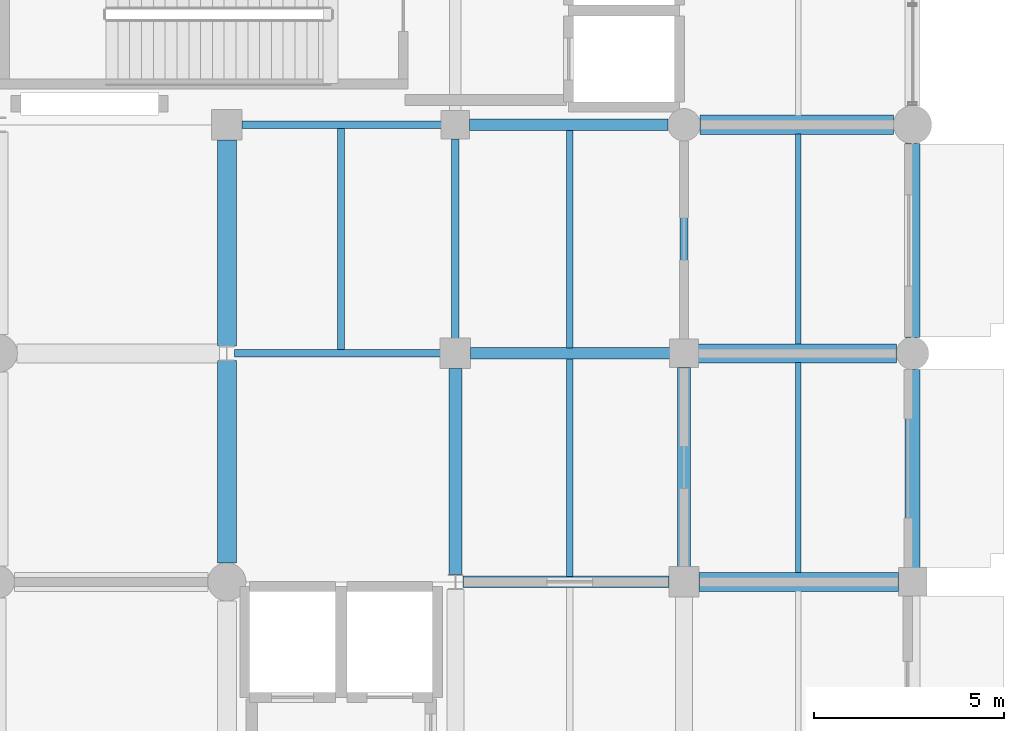
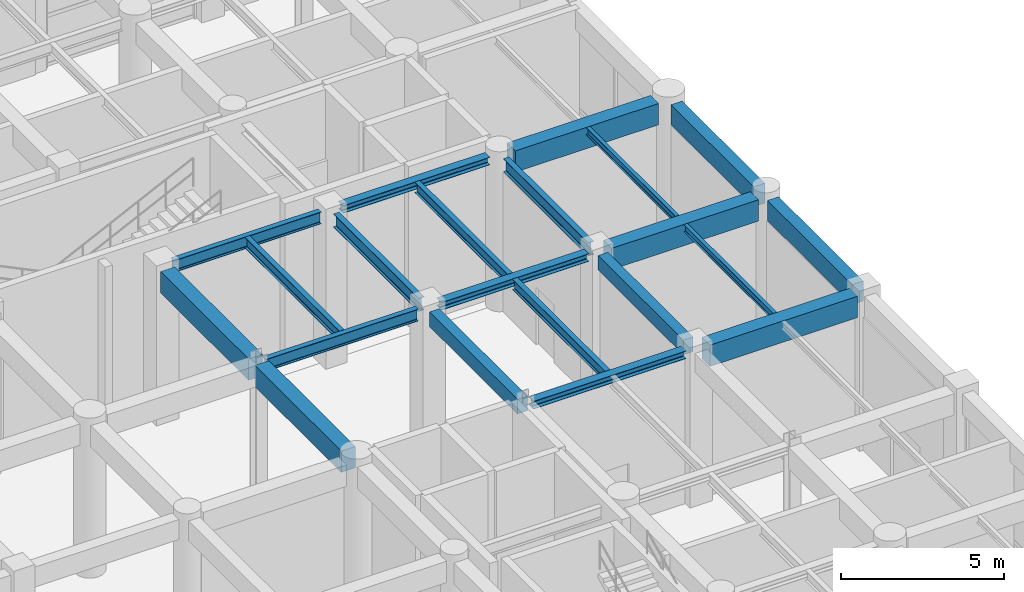
# One storey, part 67 of 106: 21 beams.
"""IFC4 building model written with IfcOpenShell, lengths in metres."""

import ifcopenshell
import ifcopenshell.guid

model = None  # the IFC model being written
_history = None  # IfcOwnerHistory: only IFC2X3 demands one
_inside = {}  # id of a spatial element -> (the spatial element, [elements in it])
_under = {}  # id of a project, library or spatial element -> (it, [spatial elements below it])
_declared = {}  # id of a project -> (the project, [libraries it declares])
_typed = {}  # id of a type object -> (the type object, [elements of that type])
_made_of = {}  # id of a material, layer set ... -> (it, [elements and type objects made of it])


def new_model(schema):
    """Start an empty IFC model of exactly this schema.

    Asked for "IFC4X3", IfcOpenShell would pick the latest addendum, in which some entities
    have other attributes; the version numbers below select the first issue.
    IFC2X3 requires an IfcOwnerHistory on every rooted entity: one is made here for all.
    """
    global model, _history
    if schema == "IFC4X3":
        model = ifcopenshell.file(schema_version=(4, 3, 0, 0))
    else:
        model = ifcopenshell.file(schema=schema)
    _inside.clear()
    _under.clear()
    _declared.clear()
    _typed.clear()
    _made_of.clear()
    _history = None
    if model.schema == "IFC2X3":
        org = make("IfcOrganization", Name="unknown")
        user = make(
            "IfcPersonAndOrganization",
            ThePerson=make("IfcPerson", FamilyName="unknown"),
            TheOrganization=org,
        )
        app = make(
            "IfcApplication",
            ApplicationDeveloper=org,
            Version="unknown",
            ApplicationFullName="unknown",
            ApplicationIdentifier="unknown",
        )
        _history = make(
            "IfcOwnerHistory",
            OwningUser=user,
            OwningApplication=app,
            ChangeAction="ADDED",
            CreationDate=0,
        )
    return model


def make(cls, **values):
    """One entity of the class cls with the attributes given. An attribute that is None is left unset."""
    return model.create_entity(
        cls, **{name: value for name, value in values.items() if value is not None}
    )


def rooted(cls, **values):
    """An entity with a GlobalId (a new one), such as an element, a storey or a relation."""
    return make(cls, GlobalId=ifcopenshell.guid.new(), OwnerHistory=_history, **values)


def si_unit(unit_type, name, prefix=None):
    """IfcSIUnit, for example si_unit("LENGTHUNIT", "METRE", prefix="MILLI")."""
    return make("IfcSIUnit", UnitType=unit_type, Prefix=prefix, Name=name)


def assignment(units):
    """IfcUnitAssignment: the units of a project."""
    return None if units is None else make("IfcUnitAssignment", Units=units)


def point(xyz):
    """IfcCartesianPoint."""
    return None if xyz is None else make("IfcCartesianPoint", Coordinates=xyz)


def direction(xyz):
    """IfcDirection."""
    return None if xyz is None else make("IfcDirection", DirectionRatios=xyz)


def frame(location, z_axis=None, x_axis=None):
    """IfcAxis2Placement3D, a coordinate frame: its origin and axes. An axis left out is left unset."""
    return make(
        "IfcAxis2Placement3D",
        Location=point(location),
        Axis=direction(z_axis),
        RefDirection=direction(x_axis),
    )


def frame_2d(location, x_axis=None):
    """IfcAxis2Placement2D, a coordinate frame in the plane: its origin and x axis."""
    return make(
        "IfcAxis2Placement2D", Location=point(location), RefDirection=direction(x_axis)
    )


def origin():
    """The frame at (0, 0, 0) with its axes left unset."""
    return frame((0.0, 0.0, 0.0))


def origin_2d():
    """The frame at (0, 0) in the plane with its x axis left unset."""
    return frame_2d((0.0, 0.0))


def place(relative_to, where):
    """IfcLocalPlacement: puts the frame where relative to a parent placement (None: the world)."""
    return make(
        "IfcLocalPlacement", PlacementRelTo=relative_to, RelativePlacement=where
    )


def context(
    kind, dimensions, precision=None, world=None, true_north=None, identifier=None
):
    """IfcGeometricRepresentationContext, for example the 3D "Model" context."""
    return make(
        "IfcGeometricRepresentationContext",
        ContextIdentifier=identifier,
        ContextType=kind,
        CoordinateSpaceDimension=dimensions,
        Precision=precision,
        WorldCoordinateSystem=world,
        TrueNorth=true_north,
    )


def subcontext(parent, identifier, kind, view, scale=None):
    """IfcGeometricRepresentationSubContext, for example "Body" below "Model"."""
    return make(
        "IfcGeometricRepresentationSubContext",
        ContextIdentifier=identifier,
        ContextType=kind,
        ParentContext=parent,
        TargetScale=scale,
        TargetView=view,
    )


def project(units=None, contexts=None):
    """IfcProject with its units and contexts."""
    return rooted(
        "IfcProject",
        Name="project",
        RepresentationContexts=contexts,
        UnitsInContext=assignment(units),
    )


def spatial(cls, under=None, at=None, **own):
    """A site, building, storey or space (cls), placed at a placement, below another one or the project."""
    s = rooted(cls, ObjectPlacement=at, **own)
    if under is not None:
        _under.setdefault(under.id(), (under, []))[1].append(s)
    return s


def profile(cls, at=None, kind="AREA", **sizes):
    """A parametric profile (cls). Its sizes go by their IFC names, for example OverallWidth=200.0."""
    return make(cls, ProfileType=kind, Position=at, **sizes)


def rectangle(**sizes):
    """IfcRectangleProfileDef."""
    return profile("IfcRectangleProfileDef", **sizes)


def i_section(**sizes):
    """IfcIShapeProfileDef."""
    return profile("IfcIShapeProfileDef", **sizes)


def extrude(swept, where, along, depth):
    """IfcExtrudedAreaSolid: the profile swept, set in the frame where, extruded along a direction by depth."""
    return make(
        "IfcExtrudedAreaSolid",
        SweptArea=swept,
        Position=where,
        ExtrudedDirection=direction(along),
        Depth=depth,
    )


def shape(context_of_items, identifier, shape_type, items):
    """IfcShapeRepresentation: the items that make up one representation, for example the "Body"."""
    return make(
        "IfcShapeRepresentation",
        ContextOfItems=context_of_items,
        RepresentationIdentifier=identifier,
        RepresentationType=shape_type,
        Items=items,
    )


def material(Name=None, Category=None):
    """IfcMaterial."""
    return make("IfcMaterial", Name=Name, Category=Category)


def material_profile(
    of_material, cross_section, Name=None, Category=None, Priority=None
):
    """IfcMaterialProfile: a cross section and its material."""
    return make(
        "IfcMaterialProfile",
        Name=Name,
        Material=of_material,
        Profile=cross_section,
        Priority=Priority,
        Category=Category,
    )


def profile_set(profiles, Name=None, composite=None):
    """IfcMaterialProfileSet."""
    return make(
        "IfcMaterialProfileSet",
        Name=Name,
        MaterialProfiles=profiles,
        CompositeProfile=composite,
    )


def made_of(thing, what):
    """Note that an element or type object is made of a material, layer set ...; save() writes the relation."""
    if what is not None:
        _made_of.setdefault(what.id(), (what, []))[1].append(thing)
    return thing


def type_object(cls, material=None, **own):
    """A type object (cls), such as IfcWallType, which elements share."""
    return made_of(rooted(cls, **own), material)


def element(
    cls,
    number,
    at=None,
    inside=None,
    cuts=None,
    type_object=None,
    material=None,
    context=None,
    identifier="Body",
    shape_type=None,
    held_by="IfcProductDefinitionShape",
    body=None,
    shapes=None,
    **own,
):
    """One element of the class cls, such as IfcWall. Its Tag is "e" and its number.

    at: its placement. inside: the storey or other place that contains it. cuts: it is an
    opening in that element (IfcRelVoidsElement). A single representation is given by context,
    identifier, shape_type and body (its items); several are given by shapes. held_by: the class
    of the entity that holds the representations. save() writes the other relations.
    """
    e = rooted(cls, Tag="e%d" % number, ObjectPlacement=at, **own)
    if body is not None:
        shapes = [shape(context, identifier, shape_type, body)]
    if shapes is not None:
        e.Representation = make(held_by, Representations=shapes)
    if inside is not None:
        _inside.setdefault(inside.id(), (inside, []))[1].append(e)
    if cuts is not None:
        rooted(
            "IfcRelVoidsElement", RelatingBuildingElement=cuts, RelatedOpeningElement=e
        )
    if type_object is not None:
        _typed.setdefault(type_object.id(), (type_object, []))[1].append(e)
    return made_of(e, material)


def aggregate(whole, parts):
    """IfcRelAggregates: a whole, such as a stair, and the parts it consists of."""
    return rooted("IfcRelAggregates", RelatingObject=whole, RelatedObjects=parts)


def save(model, path):
    """Write the relations noted so far, then the file.

    IfcRelAggregates (storeys below a building ...), IfcRelContainedInSpatialStructure (elements
    in a storey), IfcRelDefinesByType, IfcRelAssociatesMaterial and IfcRelDeclares: one each for
    every whole, place, type object, material and project.
    """
    for whole, parts in _under.values():
        aggregate(whole, parts)
    for where, things in _inside.values():
        rooted(
            "IfcRelContainedInSpatialStructure",
            RelatedElements=things,
            RelatingStructure=where,
        )
    for kind, things in _typed.values():
        rooted("IfcRelDefinesByType", RelatedObjects=things, RelatingType=kind)
    for what, things in _made_of.values():
        rooted("IfcRelAssociatesMaterial", RelatedObjects=things, RelatingMaterial=what)
    for by, libraries in _declared.values():
        rooted("IfcRelDeclares", RelatingContext=by, RelatedDefinitions=libraries)
    model.write(path)


model = new_model("IFC4")

# Units and contexts
model_context = context("Model", 3, precision=1e-05, world=origin(), true_north=direction((0.0, 1.0)))
body_context = subcontext(model_context, "Body", "Model", "MODEL_VIEW")
ifc_project = project(units=[si_unit("LENGTHUNIT", "METRE"), si_unit("AREAUNIT", "SQUARE_METRE"), si_unit("VOLUMEUNIT", "CUBIC_METRE"), si_unit("PLANEANGLEUNIT", "RADIAN"), si_unit("MASSUNIT", "GRAM", prefix="KILO"), si_unit("THERMODYNAMICTEMPERATUREUNIT", "KELVIN"), si_unit("POWERUNIT", "WATT")], contexts=[model_context])

# Site, building, storey
site_placement = place(None, origin())
site = spatial("IfcSite", under=ifc_project, at=site_placement, CompositionType="ELEMENT")
building_placement = place(site_placement, origin())
building = spatial("IfcBuilding", under=site, at=building_placement, Name="Phaisarnlok Congress Hotel", CompositionType="ELEMENT")
storey_placement = place(building_placement, origin())
storey = spatial("IfcBuildingStorey", under=building, at=storey_placement, Name="L00", CompositionType="ELEMENT", Elevation=0.0)

# Beams
ifc_material_1 = material(Name="Concrete C40/50", Category="concrete")
ifc_material_profile_1 = material_profile(ifc_material_1, rectangle(XDim=0.35009765625, YDim=0.550048828125, at=origin_2d()), Name="RC 350x550")
ifc_profile_set_1 = profile_set([ifc_material_profile_1], Name="Concrete C40/50")
beam_type_1 = type_object("IfcBeamType", Name="BM-RC-350x550", PredefinedType="BEAM", material=ifc_profile_set_1)
beam_1_placement = place(storey_placement, frame((168.0, 96.194580078125, 5.465087890625), z_axis=(0.0, 1.0, 0.0), x_axis=(-1.0, 0.0, 0.0)))
element("IfcBeam", 1, at=beam_1_placement, inside=storey, type_object=beam_type_1, Name="Beam B-01", PredefinedType="BEAM", context=body_context, shape_type="SweptSolid", body=[
    extrude(rectangle(XDim=0.35009765625, YDim=0.550048828125, at=origin_2d()), origin(), (0.0, 0.0, 1.0), 5.410400390625),
])
beam_2_placement = place(storey_placement, frame((174.0, 96.39501953125, 5.465087890625), z_axis=(0.0, 1.0, 0.0), x_axis=(-1.0, 0.0, 0.0)))
element("IfcBeam", 2, at=beam_2_placement, inside=storey, type_object=beam_type_1, Name="Beam B-01", PredefinedType="BEAM", context=body_context, shape_type="SweptSolid", body=[
    extrude(rectangle(XDim=0.35009765625, YDim=0.550048828125, at=origin_2d()), origin(), (0.0, 0.0, 1.0), 5.23486328125),
])
ifc_material_profile_2 = material_profile(ifc_material_1, rectangle(XDim=0.5, YDim=0.800048828125, at=origin_2d()), Name="RC 500x800")
ifc_profile_set_2 = profile_set([ifc_material_profile_2], Name="Concrete C40/50")
beam_type_2 = type_object("IfcBeamType", Name="BM-RC-500x800", PredefinedType="BEAM", material=ifc_profile_set_2)
beam_3_placement = place(storey_placement, frame((162.0, 96.4951171875, 5.340087890625), z_axis=(0.0, 1.0, 0.0), x_axis=(-1.0, 0.0, 0.0)))
element("IfcBeam", 3, at=beam_3_placement, inside=storey, type_object=beam_type_2, Name="Beam B-04", PredefinedType="BEAM", context=body_context, shape_type="SweptSolid", body=[
    extrude(rectangle(XDim=0.5, YDim=0.800048828125, at=origin_2d()), origin(), (0.0, 0.0, 1.0), 5.310302734375),
])
beam_4_placement = place(storey_placement, frame((162.0, 102.194580078125, 5.340087890625), z_axis=(0.0, 1.0, 0.0), x_axis=(-1.0, 0.0, 0.0)))
element("IfcBeam", 4, at=beam_4_placement, inside=storey, type_object=beam_type_2, Name="Beam B-04", PredefinedType="BEAM", context=body_context, shape_type="SweptSolid", body=[
    extrude(rectangle(XDim=0.5, YDim=0.800048828125, at=origin_2d()), origin(), (0.0, 0.0, 1.0), 5.410400390625),
])
beam_5_placement = place(storey_placement, frame((174.39501953125, 96.0, 5.340087890625), z_axis=(1.0, 0.0, 0.0), x_axis=(0.0, 1.0, 0.0)))
element("IfcBeam", 5, at=beam_5_placement, inside=storey, type_object=beam_type_2, Name="Beam B-04", PredefinedType="BEAM", context=body_context, shape_type="SweptSolid", body=[
    extrude(rectangle(XDim=0.5, YDim=0.800048828125, at=origin_2d()), origin(), (0.0, 0.0, 1.0), 5.23486328125),
])
beam_6_placement = place(storey_placement, frame((174.3701171875, 102.0, 5.340087890625), z_axis=(1.0, 0.0, 0.0), x_axis=(0.0, 1.0, 0.0)))
element("IfcBeam", 6, at=beam_6_placement, inside=storey, type_object=beam_type_2, Name="Beam B-04", PredefinedType="BEAM", context=body_context, shape_type="SweptSolid", body=[
    extrude(rectangle(XDim=0.5, YDim=0.800048828125, at=origin_2d()), origin(), (0.0, 0.0, 1.0), 5.2099609375),
])
beam_7_placement = place(storey_placement, frame((174.419921875, 108.0, 5.340087890625), z_axis=(1.0, 0.0, 0.0), x_axis=(0.0, 1.0, 0.0)))
element("IfcBeam", 7, at=beam_7_placement, inside=storey, type_object=beam_type_2, Name="Beam B-04", PredefinedType="BEAM", context=body_context, shape_type="SweptSolid", body=[
    extrude(rectangle(XDim=0.5, YDim=0.800048828125, at=origin_2d()), origin(), (0.0, 0.0, 1.0), 5.0849609375),
])
ifc_material_2 = material(Name="Steel S355", Category="steel")
ifc_material_profile_3 = material_profile(ifc_material_2, i_section(OverallWidth=0.300048828125, OverallDepth=0.2900390625, WebThickness=0.008544921875, FlangeThickness=0.013916015625, FilletRadius=0.027099609375, at=origin_2d()), Name="HEA 300")
ifc_profile_set_3 = profile_set([ifc_material_profile_3], Name="Steel S355")
beam_type_3 = type_object("IfcBeamType", Name="BM-STL-HEA300", PredefinedType="BEAM", material=ifc_profile_set_3)
beam_8_placement = place(storey_placement, frame((168.195556640625, 96.0, 5.594970703125), z_axis=(1.0, 0.0, 0.0), x_axis=(0.0, 1.0, 0.0)))
element("IfcBeam", 8, at=beam_8_placement, inside=storey, type_object=beam_type_3, Name="Beam SB-05", PredefinedType="BEAM", context=body_context, shape_type="SweptSolid", body=[
    extrude(i_section(OverallWidth=0.300048828125, OverallDepth=0.2900390625, WebThickness=0.008544921875, FlangeThickness=0.013916015625, FilletRadius=0.027099609375, at=origin_2d()), origin(), (0.0, 0.0, 1.0), 5.409423828125),
])
beam_9_placement = place(storey_placement, frame((168.39501953125, 102.0, 5.594970703125), z_axis=(1.0, 0.0, 0.0), x_axis=(0.0, 1.0, 0.0)))
element("IfcBeam", 9, at=beam_9_placement, inside=storey, type_object=beam_type_3, Name="Beam SB-05", PredefinedType="BEAM", context=body_context, shape_type="SweptSolid", body=[
    extrude(i_section(OverallWidth=0.300048828125, OverallDepth=0.2900390625, WebThickness=0.008544921875, FlangeThickness=0.013916015625, FilletRadius=0.027099609375, at=origin_2d()), origin(), (0.0, 0.0, 1.0), 5.23486328125),
])
beam_10_placement = place(storey_placement, frame((168.3701171875, 108.0, 5.594970703125), z_axis=(1.0, 0.0, 0.0), x_axis=(0.0, 1.0, 0.0)))
element("IfcBeam", 10, at=beam_10_placement, inside=storey, type_object=beam_type_3, Name="Beam SB-05", PredefinedType="BEAM", context=body_context, shape_type="SweptSolid", body=[
    extrude(i_section(OverallWidth=0.300048828125, OverallDepth=0.2900390625, WebThickness=0.008544921875, FlangeThickness=0.013916015625, FilletRadius=0.027099609375, at=origin_2d()), origin(), (0.0, 0.0, 1.0), 5.2099609375),
])
ifc_material_profile_4 = material_profile(ifc_material_2, i_section(OverallWidth=0.18994140625, OverallDepth=0.449951171875, WebThickness=0.009521484375, FlangeThickness=0.0146484375, FilletRadius=0.02099609375, at=origin_2d()), Name="IPE 450")
ifc_profile_set_4 = profile_set([ifc_material_profile_4], Name="Steel S355")
beam_type_4 = type_object("IfcBeamType", Name="BM-STL-IPE450", PredefinedType="BEAM", material=ifc_profile_set_4)
beam_11_placement = place(storey_placement, frame((162.195556640625, 102.0, 5.514892578125), z_axis=(1.0, 0.0, 0.0), x_axis=(0.0, 1.0, 0.0)))
element("IfcBeam", 11, at=beam_11_placement, inside=storey, type_object=beam_type_4, Name="Beam SB-01", PredefinedType="BEAM", context=body_context, shape_type="SweptSolid", body=[
    extrude(i_section(OverallWidth=0.18994140625, OverallDepth=0.449951171875, WebThickness=0.009521484375, FlangeThickness=0.0146484375, FilletRadius=0.02099609375, at=origin_2d()), origin(), (0.0, 0.0, 1.0), 5.409423828125),
])
beam_12_placement = place(storey_placement, frame((162.39501953125, 108.0, 5.514892578125), z_axis=(1.0, 0.0, 0.0), x_axis=(0.0, 1.0, 0.0)))
element("IfcBeam", 12, at=beam_12_placement, inside=storey, type_object=beam_type_4, Name="Beam SB-01", PredefinedType="BEAM", context=body_context, shape_type="SweptSolid", body=[
    extrude(i_section(OverallWidth=0.18994140625, OverallDepth=0.449951171875, WebThickness=0.009521484375, FlangeThickness=0.0146484375, FilletRadius=0.02099609375, at=origin_2d()), origin(), (0.0, 0.0, 1.0), 5.23486328125),
])
ifc_material_profile_5 = material_profile(ifc_material_2, i_section(OverallWidth=0.199951171875, OverallDepth=0.5, WebThickness=0.01025390625, FlangeThickness=0.01611328125, FilletRadius=0.02099609375, at=origin_2d()), Name="IPE 500")
ifc_profile_set_5 = profile_set([ifc_material_profile_5], Name="Steel S355")
beam_type_5 = type_object("IfcBeamType", Name="BM-STL-IPE500", PredefinedType="BEAM", material=ifc_profile_set_5)
beam_13_placement = place(storey_placement, frame((168.0, 102.39501953125, 5.489990234375), z_axis=(0.0, 1.0, 0.0), x_axis=(-1.0, 0.0, 0.0)))
element("IfcBeam", 13, at=beam_13_placement, inside=storey, type_object=beam_type_5, Name="Beam SB-02", PredefinedType="BEAM", context=body_context, shape_type="SweptSolid", body=[
    extrude(i_section(OverallWidth=0.199951171875, OverallDepth=0.5, WebThickness=0.01025390625, FlangeThickness=0.01611328125, FilletRadius=0.02099609375, at=origin_2d()), origin(), (0.0, 0.0, 1.0), 5.23486328125),
])
beam_14_placement = place(storey_placement, frame((174.0, 102.3701171875, 5.489990234375), z_axis=(0.0, 1.0, 0.0), x_axis=(-1.0, 0.0, 0.0)))
element("IfcBeam", 14, at=beam_14_placement, inside=storey, type_object=beam_type_5, Name="Beam SB-02", PredefinedType="BEAM", context=body_context, shape_type="SweptSolid", body=[
    extrude(i_section(OverallWidth=0.199951171875, OverallDepth=0.5, WebThickness=0.01025390625, FlangeThickness=0.01611328125, FilletRadius=0.02099609375, at=origin_2d()), origin(), (0.0, 0.0, 1.0), 5.2099609375),
])
ifc_material_profile_6 = material_profile(ifc_material_2, i_section(OverallWidth=0.135009765625, OverallDepth=0.27001953125, WebThickness=0.006591796875, FlangeThickness=0.01025390625, FilletRadius=0.014892578125, at=origin_2d()), Name="IPE 270")
ifc_profile_set_6 = profile_set([ifc_material_profile_6], Name="Steel S355")
beam_type_6 = type_object("IfcBeamType", Name="JS-STL-IPE270", PredefinedType="JOIST", material=ifc_profile_set_6)
for number, where, z_axis, x_axis, name in (
    (15, (177.0, 96.2451171875, 5.60498046875), (0.0, 1.0, 0.0), (-1.0, 0.0, 0.0), "Secondary floor joist J-02"),
    (16, (177.0, 102.2451171875, 5.60498046875), (0.0, 1.0, 0.0), (-1.0, 0.0, 0.0), "Secondary floor joist J-02"),
):
    element("IfcBeam", number, at=place(storey_placement, frame(where, z_axis=z_axis, x_axis=x_axis)), inside=storey, type_object=beam_type_6, Name=name, PredefinedType="JOIST", context=body_context, shape_type="SweptSolid", body=[
        extrude(i_section(OverallWidth=0.135009765625, OverallDepth=0.27001953125, WebThickness=0.006591796875, FlangeThickness=0.01025390625, FilletRadius=0.014892578125, at=origin_2d()), origin(), (0.0, 0.0, 1.0), 5.509765625),
    ])
ifc_material_profile_7 = material_profile(ifc_material_2, i_section(OverallWidth=0.179931640625, OverallDepth=0.39990234375, WebThickness=0.008544921875, FlangeThickness=0.013427734375, FilletRadius=0.02099609375, at=origin_2d()), Name="IPE 400")
ifc_profile_set_7 = profile_set([ifc_material_profile_7], Name="Steel S355")
beam_type_7 = type_object("IfcBeamType", Name="JS-STL-IPE400", PredefinedType="JOIST", material=ifc_profile_set_7)
beam_15_placement = place(storey_placement, frame((165.0, 102.090087890625, 5.5400390625), z_axis=(0.0, 1.0, 0.0), x_axis=(-1.0, 0.0, 0.0)))
element("IfcBeam", 17, at=beam_15_placement, inside=storey, type_object=beam_type_7, Name="Secondary floor joist J-05", PredefinedType="JOIST", context=body_context, shape_type="SweptSolid", body=[
    extrude(i_section(OverallWidth=0.179931640625, OverallDepth=0.39990234375, WebThickness=0.008544921875, FlangeThickness=0.013427734375, FilletRadius=0.02099609375, at=origin_2d()), origin(), (0.0, 0.0, 1.0), 5.81982421875),
])
for number, where, z_axis, x_axis, name in (
    (18, (171.0, 96.14501953125, 5.5400390625), (0.0, 1.0, 0.0), (-1.0, 0.0, 0.0), "Secondary floor joist J-05"),
    (19, (171.0, 102.14501953125, 5.5400390625), (0.0, 1.0, 0.0), (-1.0, 0.0, 0.0), "Secondary floor joist J-05"),
):
    element("IfcBeam", number, at=place(storey_placement, frame(where, z_axis=z_axis, x_axis=x_axis)), inside=storey, type_object=beam_type_7, Name=name, PredefinedType="JOIST", context=body_context, shape_type="SweptSolid", body=[
        extrude(i_section(OverallWidth=0.179931640625, OverallDepth=0.39990234375, WebThickness=0.008544921875, FlangeThickness=0.013427734375, FilletRadius=0.02099609375, at=origin_2d()), origin(), (0.0, 0.0, 1.0), 5.7099609375),
    ])
ifc_material_profile_8 = material_profile(ifc_material_1, rectangle(XDim=0.39990234375, YDim=0.75, at=origin_2d()), Name="RC 400x750")
ifc_profile_set_8 = profile_set([ifc_material_profile_8], Name="Concrete C40/50")
beam_type_8 = type_object("IfcBeamType", Name="SP-RC-400x750", PredefinedType="SPANDREL", material=ifc_profile_set_8)
beam_16_placement = place(storey_placement, frame((180.0, 96.3701171875, 5.364990234375), z_axis=(0.0, 1.0, 0.0), x_axis=(-1.0, 0.0, 0.0)))
element("IfcBeam", 20, at=beam_16_placement, inside=storey, type_object=beam_type_8, Name="Beam SP-02", PredefinedType="SPANDREL", context=body_context, shape_type="SweptSolid", body=[
    extrude(rectangle(XDim=0.39990234375, YDim=0.75, at=origin_2d()), origin(), (0.0, 0.0, 1.0), 5.2099609375),
])
beam_17_placement = place(storey_placement, frame((180.0, 102.419921875, 5.364990234375), z_axis=(0.0, 1.0, 0.0), x_axis=(-1.0, 0.0, 0.0)))
element("IfcBeam", 21, at=beam_17_placement, inside=storey, type_object=beam_type_8, Name="Beam SP-02", PredefinedType="SPANDREL", context=body_context, shape_type="SweptSolid", body=[
    extrude(rectangle(XDim=0.39990234375, YDim=0.75, at=origin_2d()), origin(), (0.0, 0.0, 1.0), 5.0849609375),
])

save(model, "model.ifc")
